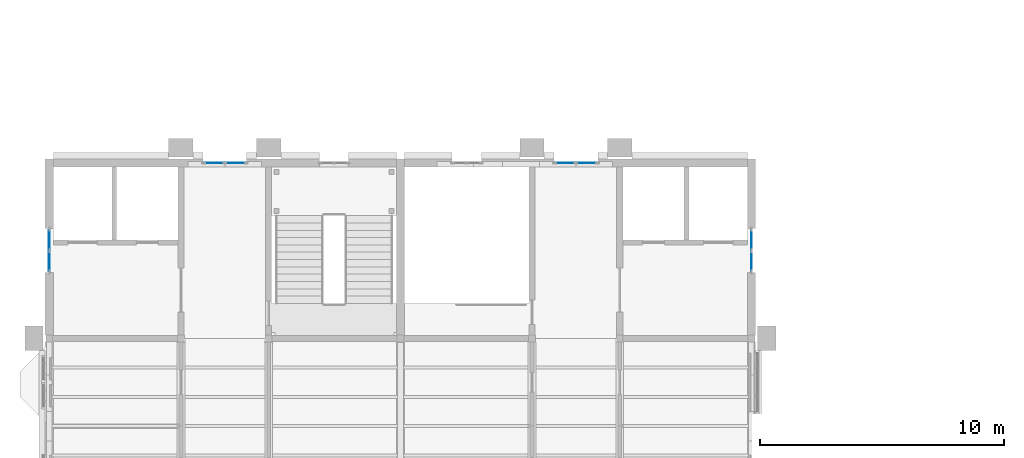
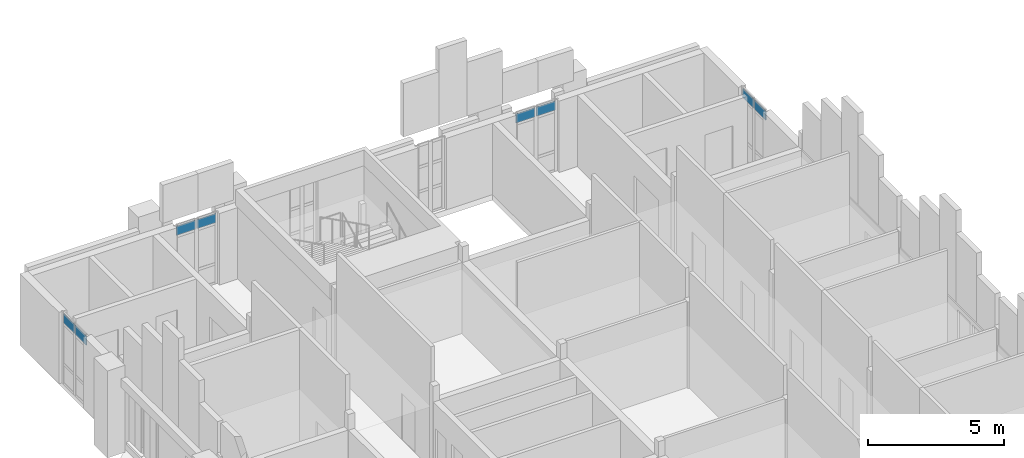
# One storey, part 30 of 51: 8 plates, 4 elements without a shape of their own.
"""IFC4 building model written with IfcOpenShell, lengths in metres."""

from ifc_helpers import new_model, si_unit, direction, frame, origin, origin_2d, place, context, subcontext, project, spatial, rectangle, extrude, material, layer, layer_set, type_object, element, aggregate, save


model = new_model("IFC4")

# Units and contexts
model_context = context("Model", 3, precision=1e-05, world=origin(), true_north=direction((0.0, 1.0)))
body_context = subcontext(model_context, "Body", "Model", "MODEL_VIEW")
ifc_project = project(units=[si_unit("LENGTHUNIT", "METRE"), si_unit("AREAUNIT", "SQUARE_METRE"), si_unit("VOLUMEUNIT", "CUBIC_METRE"), si_unit("PLANEANGLEUNIT", "RADIAN"), si_unit("MASSUNIT", "GRAM", prefix="KILO")], contexts=[model_context])

# Site, building, storey
site_placement = place(None, origin())
site = spatial("IfcSite", under=ifc_project, at=site_placement, CompositionType="ELEMENT")
building_placement = place(site_placement, origin())
building = spatial("IfcBuilding", under=site, at=building_placement, Name="Mazhai Court Health Centre", CompositionType="ELEMENT")
storey_placement = place(building_placement, frame((0.0, 0.0, 14.10009765625)))
storey = spatial("IfcBuildingStorey", under=building, at=storey_placement, Name="L03", CompositionType="ELEMENT", Elevation=14.10009765625)

# Curtain wall, plates
ifc_material_1 = material(Name="Teak timber frame, glazed", Category="wood")
ifc_layer_1 = layer(ifc_material_1, 0.10009765625)
ifc_layer_set_1 = layer_set([ifc_layer_1], Name="CURTAIN WALL TIMBER 900")
curtain_wall_type = type_object("IfcCurtainWallType", Name="CURTAIN WALL TIMBER 900", PredefinedType="NOTDEFINED", material=ifc_layer_set_1)
curtain_wall_1_placement = place(storey_placement, origin())
curtain_wall_1 = element("IfcCurtainWall", 1, at=curtain_wall_1_placement, inside=storey, type_object=curtain_wall_type, Name="CW-V2-L03-A4", PredefinedType="NOTDEFINED")
ifc_material_2 = material(Name="Glass IGU 28 mm", Category="glass")
ifc_layer_2 = layer(ifc_material_2, 0.028076171875)
ifc_layer_set_2 = layer_set([ifc_layer_2], Name="CW PANEL IGU 28")
plate_type = type_object("IfcPlateType", Name="CW PANEL IGU 28", PredefinedType="CURTAIN_PANEL", material=ifc_layer_set_2)
plate_1_placement = place(storey_placement, frame((6.199951171875, 38.1650390625, 2.72998046875), z_axis=(0.0, 0.0, 1.0), x_axis=(0.0, 1.0, 0.0)))
plate_1 = element("IfcPlate", 2, at=plate_1_placement, type_object=plate_type, Name="CW panel 1.3", PredefinedType="CURTAIN_PANEL", context=body_context, shape_type="SweptSolid", body=[
    extrude(rectangle(XDim=0.81005859375, YDim=0.028076171875, at=origin_2d()), origin(), (0.0, 0.0, 1.0), 0.409912109375),
])
plate_2_placement = place(storey_placement, frame((6.199951171875, 39.034912109375, 2.72998046875), z_axis=(0.0, 0.0, 1.0), x_axis=(0.0, 1.0, 0.0)))
plate_2 = element("IfcPlate", 3, at=plate_2_placement, type_object=plate_type, Name="CW panel 2.3", PredefinedType="CURTAIN_PANEL", context=body_context, shape_type="SweptSolid", body=[
    extrude(rectangle(XDim=0.81005859375, YDim=0.028076171875, at=origin_2d()), origin(), (0.0, 0.0, 1.0), 0.409912109375),
])
aggregate(curtain_wall_1, [plate_1, plate_2])

curtain_wall_2_placement = place(storey_placement, origin())
curtain_wall_2 = element("IfcCurtainWall", 4, at=curtain_wall_2_placement, inside=storey, type_object=curtain_wall_type, Name="CW-V2-L03-ELIFT0", PredefinedType="NOTDEFINED")
plate_3_placement = place(storey_placement, frame((12.965087890625, 42.199951171875, 2.72998046875), z_axis=(0.0, 0.0, 1.0), x_axis=(1.0, 0.0, 0.0)))
plate_3 = element("IfcPlate", 5, at=plate_3_placement, type_object=plate_type, Name="CW panel 1.3", PredefinedType="CURTAIN_PANEL", context=body_context, shape_type="SweptSolid", body=[
    extrude(rectangle(XDim=0.81005859375, YDim=0.028076171875, at=origin_2d()), origin(), (0.0, 0.0, 1.0), 0.409912109375),
])
plate_4_placement = place(storey_placement, frame((13.8349609375, 42.199951171875, 2.72998046875), z_axis=(0.0, 0.0, 1.0), x_axis=(1.0, 0.0, 0.0)))
plate_4 = element("IfcPlate", 6, at=plate_4_placement, type_object=plate_type, Name="CW panel 2.3", PredefinedType="CURTAIN_PANEL", context=body_context, shape_type="SweptSolid", body=[
    extrude(rectangle(XDim=0.81005859375, YDim=0.028076171875, at=origin_2d()), origin(), (0.0, 0.0, 1.0), 0.409912109375),
])
aggregate(curtain_wall_2, [plate_3, plate_4])

curtain_wall_3_placement = place(storey_placement, origin())
curtain_wall_3 = element("IfcCurtainWall", 7, at=curtain_wall_3_placement, inside=storey, type_object=curtain_wall_type, Name="CW-V5-L03-B4", PredefinedType="NOTDEFINED")
plate_5_placement = place(storey_placement, frame((35.0, 39.034912109375, 2.72998046875), z_axis=(0.0, 0.0, 1.0), x_axis=(0.0, -1.0, 0.0)))
plate_5 = element("IfcPlate", 8, at=plate_5_placement, type_object=plate_type, Name="CW panel 1.3", PredefinedType="CURTAIN_PANEL", context=body_context, shape_type="SweptSolid", body=[
    extrude(rectangle(XDim=0.81005859375, YDim=0.028076171875, at=origin_2d()), origin(), (0.0, 0.0, 1.0), 0.409912109375),
])
plate_6_placement = place(storey_placement, frame((35.0, 38.1650390625, 2.72998046875), z_axis=(0.0, 0.0, 1.0), x_axis=(0.0, -1.0, 0.0)))
plate_6 = element("IfcPlate", 9, at=plate_6_placement, type_object=plate_type, Name="CW panel 2.3", PredefinedType="CURTAIN_PANEL", context=body_context, shape_type="SweptSolid", body=[
    extrude(rectangle(XDim=0.81005859375, YDim=0.028076171875, at=origin_2d()), origin(), (0.0, 0.0, 1.0), 0.409912109375),
])
aggregate(curtain_wall_3, [plate_5, plate_6])

curtain_wall_4_placement = place(storey_placement, origin())
curtain_wall_4 = element("IfcCurtainWall", 10, at=curtain_wall_4_placement, inside=storey, type_object=curtain_wall_type, Name="CW-V5-L03-ELIFT1", PredefinedType="NOTDEFINED")
plate_7_placement = place(storey_placement, frame((27.364990234375, 42.199951171875, 2.72998046875), z_axis=(0.0, 0.0, 1.0), x_axis=(1.0, 0.0, 0.0)))
plate_7 = element("IfcPlate", 11, at=plate_7_placement, type_object=plate_type, Name="CW panel 1.3", PredefinedType="CURTAIN_PANEL", context=body_context, shape_type="SweptSolid", body=[
    extrude(rectangle(XDim=0.81005859375, YDim=0.028076171875, at=origin_2d()), origin(), (0.0, 0.0, 1.0), 0.409912109375),
])
plate_8_placement = place(storey_placement, frame((28.235107421875, 42.199951171875, 2.72998046875), z_axis=(0.0, 0.0, 1.0), x_axis=(1.0, 0.0, 0.0)))
plate_8 = element("IfcPlate", 12, at=plate_8_placement, type_object=plate_type, Name="CW panel 2.3", PredefinedType="CURTAIN_PANEL", context=body_context, shape_type="SweptSolid", body=[
    extrude(rectangle(XDim=0.81005859375, YDim=0.028076171875, at=origin_2d()), origin(), (0.0, 0.0, 1.0), 0.409912109375),
])
aggregate(curtain_wall_4, [plate_7, plate_8])

save(model, "model.ifc")
